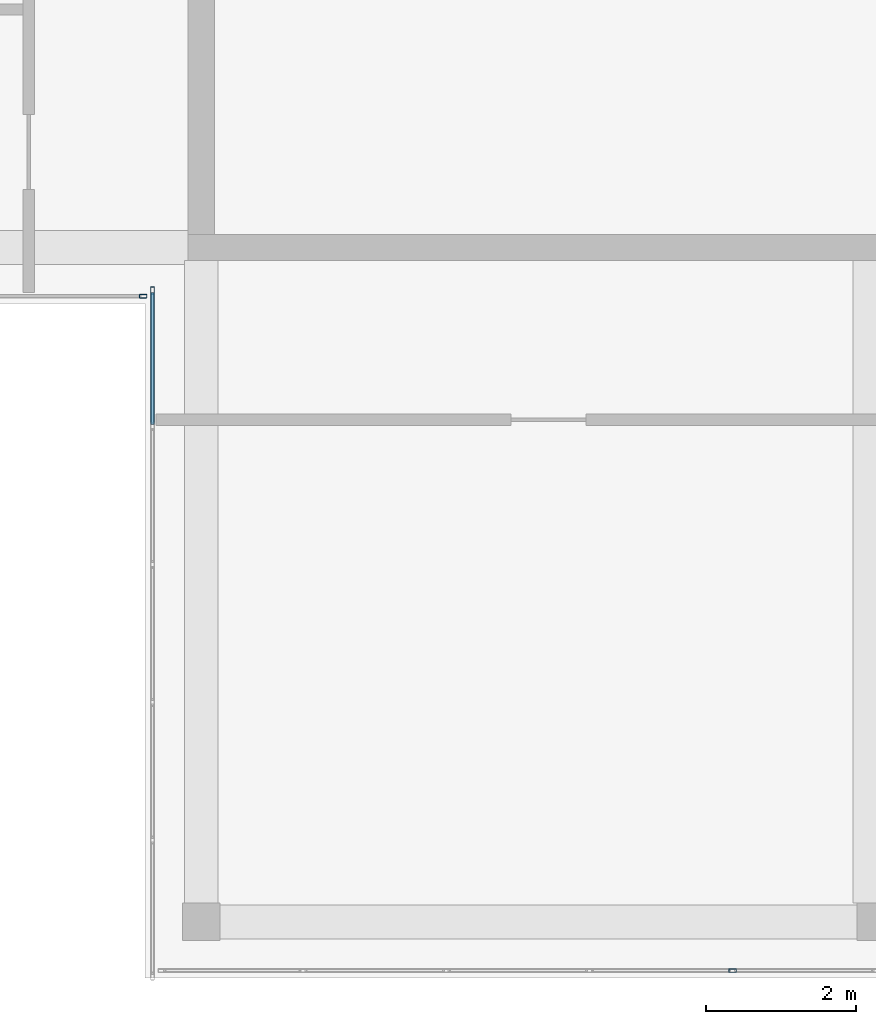
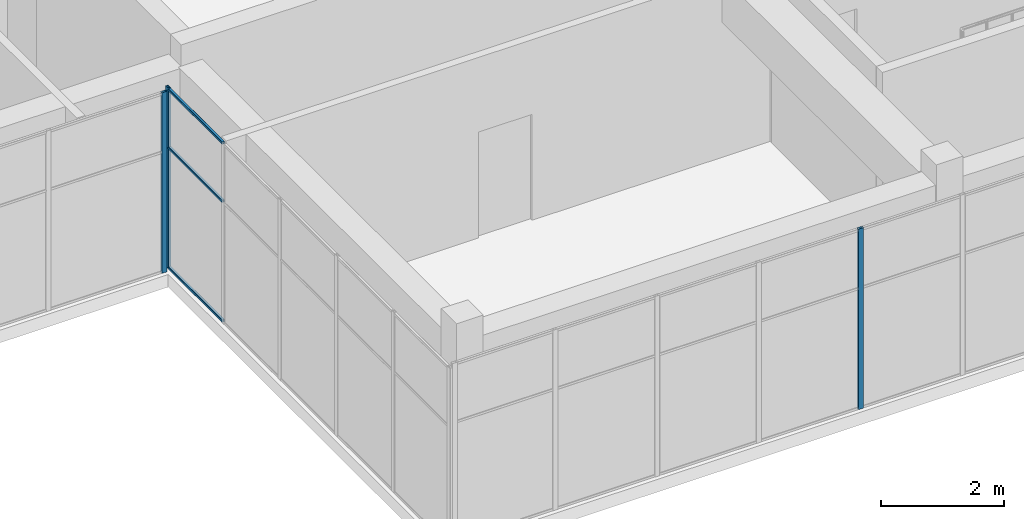
# One storey, part 6 of 36: 6 members, 3 elements without a shape of their own.
"""IFC4 building model written with IfcOpenShell, lengths in metres."""

from ifc_helpers import new_model, si_unit, direction, frame, origin, origin_2d, place, context, subcontext, project, spatial, hollow_rectangle, extrude, material, layer, layer_set, material_profile, profile_set, type_object, element, aggregate, save


model = new_model("IFC4")

# Units and contexts
model_context = context("Model", 3, precision=1e-05, world=origin(), true_north=direction((0.0, 1.0)))
body_context = subcontext(model_context, "Body", "Model", "MODEL_VIEW")
ifc_project = project(units=[si_unit("LENGTHUNIT", "METRE"), si_unit("AREAUNIT", "SQUARE_METRE"), si_unit("VOLUMEUNIT", "CUBIC_METRE"), si_unit("PLANEANGLEUNIT", "RADIAN"), si_unit("MASSUNIT", "GRAM", prefix="KILO")], contexts=[model_context])

# Site, building, storey
site_placement = place(None, origin())
site = spatial("IfcSite", under=ifc_project, at=site_placement, CompositionType="ELEMENT")
building_placement = place(site_placement, origin())
building = spatial("IfcBuilding", under=site, at=building_placement, Name="Tuart Plaza Theatre", CompositionType="ELEMENT")
storey_placement = place(building_placement, frame((0.0, 0.0, 61.5)))
storey = spatial("IfcBuildingStorey", under=building, at=storey_placement, Name="L15", CompositionType="ELEMENT", Elevation=61.5)

# Curtain wall, member
ifc_material_1 = material(Name="Aluminium and glass", Category="aluminium")
ifc_layer = layer(ifc_material_1, 0.10009765625)
ifc_layer_set = layer_set([ifc_layer], Name="CURTAIN WALL 2000 module")
curtain_wall_type = type_object("IfcCurtainWallType", Name="CURTAIN WALL 2000 module", PredefinedType="NOTDEFINED", material=ifc_layer_set)
curtain_wall_1_placement = place(storey_placement, origin())
curtain_wall_1 = element("IfcCurtainWall", 1, at=curtain_wall_1_placement, inside=storey, type_object=curtain_wall_type, Name="CW120", PredefinedType="NOTDEFINED")
ifc_material_2 = material(Name="Aluminium 6063-T5", Category="aluminium")
ifc_material_profile_1 = material_profile(ifc_material_2, hollow_rectangle(XDim=0.050048828125, YDim=0.10009765625, WallThickness=0.00390625, InnerFilletRadius=0.00390625, OuterFilletRadius=0.008056640625, at=origin_2d()), Name="RHS 100x50x4")
ifc_profile_set_1 = profile_set([ifc_material_profile_1], Name="Aluminium 6063-T5")
member_type_1 = type_object("IfcMemberType", Name="MULLION RHS 100x50x4", PredefinedType="MULLION", material=ifc_profile_set_1)
member_1_placement = place(storey_placement, frame((122.22509765625, 64.35009765625, 0.0), z_axis=(0.0, 0.0, 1.0), x_axis=(0.0, 1.0, 0.0)))
member_1 = element("IfcMember", 2, at=member_1_placement, type_object=member_type_1, Name="CW120 mullion 5", PredefinedType="MULLION", context=body_context, shape_type="SweptSolid", body=[
    extrude(hollow_rectangle(XDim=0.050048828125, YDim=0.10009765625, WallThickness=0.00390625, InnerFilletRadius=0.00390625, OuterFilletRadius=0.008056640625, at=origin_2d()), origin(), (0.0, 0.0, 1.0), 3.580078125),
])
aggregate(curtain_wall_1, [member_1])

curtain_wall_2_placement = place(storey_placement, origin())
curtain_wall_2 = element("IfcCurtainWall", 3, at=curtain_wall_2_placement, inside=storey, type_object=curtain_wall_type, Name="CW121", PredefinedType="NOTDEFINED")
member_2_placement = place(storey_placement, frame((122.35009765625, 64.425048828125, 0.0), z_axis=(0.0, 0.0, 1.0), x_axis=(1.0, 0.0, 0.0)))
member_2 = element("IfcMember", 4, at=member_2_placement, type_object=member_type_1, Name="CW121 mullion 1", PredefinedType="MULLION", context=body_context, shape_type="SweptSolid", body=[
    extrude(hollow_rectangle(XDim=0.050048828125, YDim=0.10009765625, WallThickness=0.00390625, InnerFilletRadius=0.00390625, OuterFilletRadius=0.008056640625, at=origin_2d()), origin(), (0.0, 0.0, 1.0), 3.580078125),
])

curtain_wall_3_placement = place(storey_placement, origin())
curtain_wall_3 = element("IfcCurtainWall", 5, at=curtain_wall_3_placement, inside=storey, type_object=curtain_wall_type, Name="CW122", PredefinedType="NOTDEFINED")
member_3_placement = place(storey_placement, frame((130.090087890625, 55.35009765625, 0.0), z_axis=(0.0, 0.0, 1.0), x_axis=(0.0, 1.0, 0.0)))
member_3 = element("IfcMember", 6, at=member_3_placement, type_object=member_type_1, Name="CW122 mullion 5", PredefinedType="MULLION", context=body_context, shape_type="SweptSolid", body=[
    extrude(hollow_rectangle(XDim=0.050048828125, YDim=0.10009765625, WallThickness=0.00390625, InnerFilletRadius=0.00390625, OuterFilletRadius=0.008056640625, at=origin_2d()), origin(), (0.0, 0.0, 1.0), 3.580078125),
])
aggregate(curtain_wall_3, [member_3])

# Member
ifc_material_3 = material(Name="Aluminium 6063-T5", Category="aluminium")
ifc_material_profile_2 = material_profile(ifc_material_3, hollow_rectangle(XDim=0.050048828125, YDim=0.050048828125, WallThickness=0.00390625, InnerFilletRadius=0.00390625, OuterFilletRadius=0.008056640625, at=origin_2d()), Name="RHS 50x50x4")
ifc_profile_set_2 = profile_set([ifc_material_profile_2], Name="Aluminium 6063-T5")
member_type_2 = type_object("IfcMemberType", Name="TRANSOM RHS 50x50x4", PredefinedType="USERDEFINED", material=ifc_profile_set_2)
member_4_placement = place(storey_placement, frame((122.35009765625, 64.39990234375, 0.02490234375), z_axis=(0.0, -1.0, 0.0), x_axis=(1.0, 0.0, 0.0)))
member_4 = element("IfcMember", 7, at=member_4_placement, type_object=member_type_2, Name="CW121 transom 1.1", ObjectType="TRANSOM", PredefinedType="USERDEFINED", context=body_context, shape_type="SweptSolid", body=[
    extrude(hollow_rectangle(XDim=0.050048828125, YDim=0.050048828125, WallThickness=0.00390625, InnerFilletRadius=0.00390625, OuterFilletRadius=0.008056640625, at=origin_2d()), origin(), (0.0, 0.0, 1.0), 1.764892578125),
])

member_5_placement = place(storey_placement, frame((122.35009765625, 64.39990234375, 2.39990234375), z_axis=(0.0, -1.0, 0.0), x_axis=(1.0, 0.0, 0.0)))
member_5 = element("IfcMember", 8, at=member_5_placement, type_object=member_type_2, Name="CW121 transom 1.2", ObjectType="TRANSOM", PredefinedType="USERDEFINED", context=body_context, shape_type="SweptSolid", body=[
    extrude(hollow_rectangle(XDim=0.050048828125, YDim=0.050048828125, WallThickness=0.00390625, InnerFilletRadius=0.00390625, OuterFilletRadius=0.008056640625, at=origin_2d()), origin(), (0.0, 0.0, 1.0), 1.764892578125),
])

member_6_placement = place(storey_placement, frame((122.35009765625, 64.39990234375, 3.554931640625), z_axis=(0.0, -1.0, 0.0), x_axis=(1.0, 0.0, 0.0)))
member_6 = element("IfcMember", 9, at=member_6_placement, type_object=member_type_2, Name="CW121 transom 1.3", ObjectType="TRANSOM", PredefinedType="USERDEFINED", context=body_context, shape_type="SweptSolid", body=[
    extrude(hollow_rectangle(XDim=0.050048828125, YDim=0.050048828125, WallThickness=0.00390625, InnerFilletRadius=0.00390625, OuterFilletRadius=0.008056640625, at=origin_2d()), origin(), (0.0, 0.0, 1.0), 1.764892578125),
])

aggregate(curtain_wall_2, [member_2, member_4, member_5, member_6])

save(model, "model.ifc")
